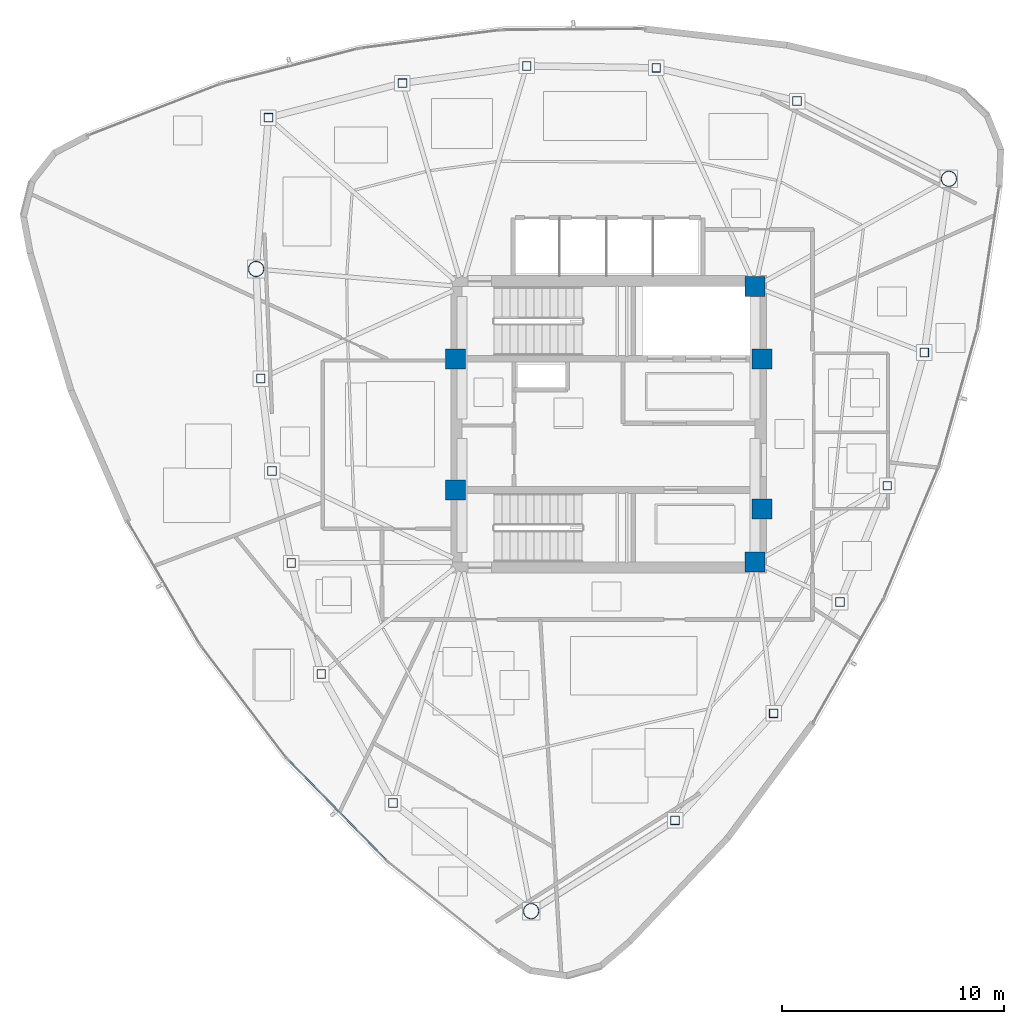
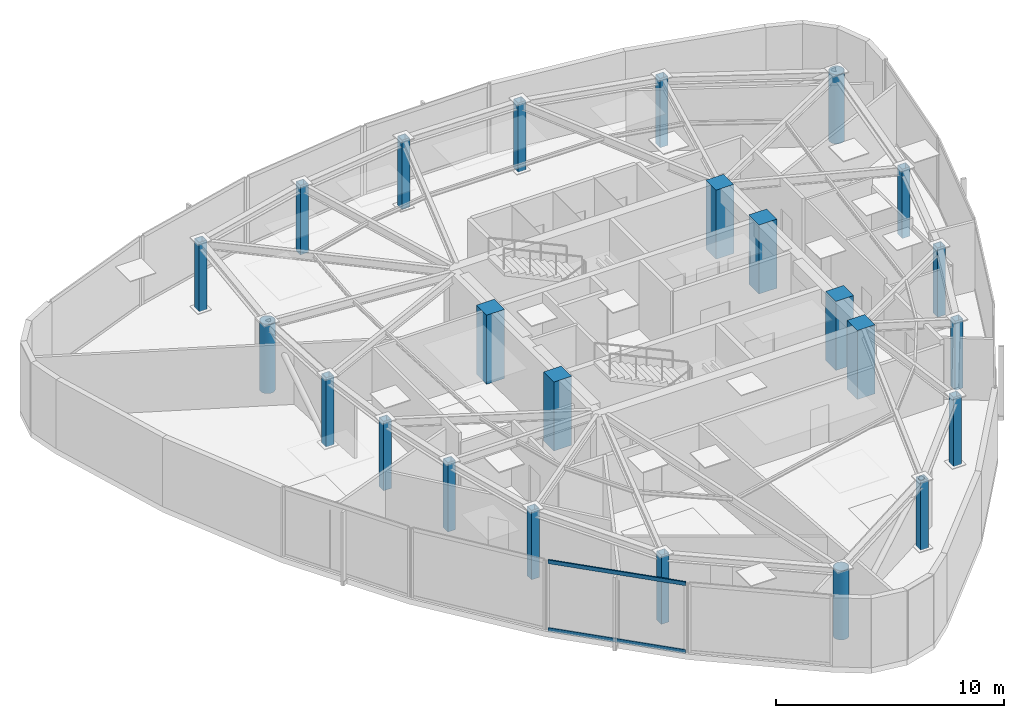
# One storey, part 1 of 11: 24 columns, 2 members, 1 element without a shape of its own.
"""IFC4 building model written with IfcOpenShell, lengths in metres."""

import ifcopenshell
import ifcopenshell.guid

model = None  # the IFC model being written
_history = None  # IfcOwnerHistory: only IFC2X3 demands one
_inside = {}  # id of a spatial element -> (the spatial element, [elements in it])
_under = {}  # id of a project, library or spatial element -> (it, [spatial elements below it])
_declared = {}  # id of a project -> (the project, [libraries it declares])
_typed = {}  # id of a type object -> (the type object, [elements of that type])
_made_of = {}  # id of a material, layer set ... -> (it, [elements and type objects made of it])


def new_model(schema):
    """Start an empty IFC model of exactly this schema.

    Asked for "IFC4X3", IfcOpenShell would pick the latest addendum, in which some entities
    have other attributes; the version numbers below select the first issue.
    IFC2X3 requires an IfcOwnerHistory on every rooted entity: one is made here for all.
    """
    global model, _history
    if schema == "IFC4X3":
        model = ifcopenshell.file(schema_version=(4, 3, 0, 0))
    else:
        model = ifcopenshell.file(schema=schema)
    _inside.clear()
    _under.clear()
    _declared.clear()
    _typed.clear()
    _made_of.clear()
    _history = None
    if model.schema == "IFC2X3":
        org = make("IfcOrganization", Name="unknown")
        user = make(
            "IfcPersonAndOrganization",
            ThePerson=make("IfcPerson", FamilyName="unknown"),
            TheOrganization=org,
        )
        app = make(
            "IfcApplication",
            ApplicationDeveloper=org,
            Version="unknown",
            ApplicationFullName="unknown",
            ApplicationIdentifier="unknown",
        )
        _history = make(
            "IfcOwnerHistory",
            OwningUser=user,
            OwningApplication=app,
            ChangeAction="ADDED",
            CreationDate=0,
        )
    return model


def make(cls, **values):
    """One entity of the class cls with the attributes given. An attribute that is None is left unset."""
    return model.create_entity(
        cls, **{name: value for name, value in values.items() if value is not None}
    )


def rooted(cls, **values):
    """An entity with a GlobalId (a new one), such as an element, a storey or a relation."""
    return make(cls, GlobalId=ifcopenshell.guid.new(), OwnerHistory=_history, **values)


def si_unit(unit_type, name, prefix=None):
    """IfcSIUnit, for example si_unit("LENGTHUNIT", "METRE", prefix="MILLI")."""
    return make("IfcSIUnit", UnitType=unit_type, Prefix=prefix, Name=name)


def assignment(units):
    """IfcUnitAssignment: the units of a project."""
    return None if units is None else make("IfcUnitAssignment", Units=units)


def point(xyz):
    """IfcCartesianPoint."""
    return None if xyz is None else make("IfcCartesianPoint", Coordinates=xyz)


def direction(xyz):
    """IfcDirection."""
    return None if xyz is None else make("IfcDirection", DirectionRatios=xyz)


def frame(location, z_axis=None, x_axis=None):
    """IfcAxis2Placement3D, a coordinate frame: its origin and axes. An axis left out is left unset."""
    return make(
        "IfcAxis2Placement3D",
        Location=point(location),
        Axis=direction(z_axis),
        RefDirection=direction(x_axis),
    )


def frame_2d(location, x_axis=None):
    """IfcAxis2Placement2D, a coordinate frame in the plane: its origin and x axis."""
    return make(
        "IfcAxis2Placement2D", Location=point(location), RefDirection=direction(x_axis)
    )


def origin():
    """The frame at (0, 0, 0) with its axes left unset."""
    return frame((0.0, 0.0, 0.0))


def origin_2d():
    """The frame at (0, 0) in the plane with its x axis left unset."""
    return frame_2d((0.0, 0.0))


def place(relative_to, where):
    """IfcLocalPlacement: puts the frame where relative to a parent placement (None: the world)."""
    return make(
        "IfcLocalPlacement", PlacementRelTo=relative_to, RelativePlacement=where
    )


def context(
    kind, dimensions, precision=None, world=None, true_north=None, identifier=None
):
    """IfcGeometricRepresentationContext, for example the 3D "Model" context."""
    return make(
        "IfcGeometricRepresentationContext",
        ContextIdentifier=identifier,
        ContextType=kind,
        CoordinateSpaceDimension=dimensions,
        Precision=precision,
        WorldCoordinateSystem=world,
        TrueNorth=true_north,
    )


def subcontext(parent, identifier, kind, view, scale=None):
    """IfcGeometricRepresentationSubContext, for example "Body" below "Model"."""
    return make(
        "IfcGeometricRepresentationSubContext",
        ContextIdentifier=identifier,
        ContextType=kind,
        ParentContext=parent,
        TargetScale=scale,
        TargetView=view,
    )


def project(units=None, contexts=None):
    """IfcProject with its units and contexts."""
    return rooted(
        "IfcProject",
        Name="project",
        RepresentationContexts=contexts,
        UnitsInContext=assignment(units),
    )


def spatial(cls, under=None, at=None, **own):
    """A site, building, storey or space (cls), placed at a placement, below another one or the project."""
    s = rooted(cls, ObjectPlacement=at, **own)
    if under is not None:
        _under.setdefault(under.id(), (under, []))[1].append(s)
    return s


def profile(cls, at=None, kind="AREA", **sizes):
    """A parametric profile (cls). Its sizes go by their IFC names, for example OverallWidth=200.0."""
    return make(cls, ProfileType=kind, Position=at, **sizes)


def rectangle(**sizes):
    """IfcRectangleProfileDef."""
    return profile("IfcRectangleProfileDef", **sizes)


def hollow_rectangle(**sizes):
    """IfcRectangleHollowProfileDef."""
    return profile("IfcRectangleHollowProfileDef", **sizes)


def hollow_circle(**sizes):
    """IfcCircleHollowProfileDef."""
    return profile("IfcCircleHollowProfileDef", **sizes)


def extrude(swept, where, along, depth):
    """IfcExtrudedAreaSolid: the profile swept, set in the frame where, extruded along a direction by depth."""
    return make(
        "IfcExtrudedAreaSolid",
        SweptArea=swept,
        Position=where,
        ExtrudedDirection=direction(along),
        Depth=depth,
    )


def shape(context_of_items, identifier, shape_type, items):
    """IfcShapeRepresentation: the items that make up one representation, for example the "Body"."""
    return make(
        "IfcShapeRepresentation",
        ContextOfItems=context_of_items,
        RepresentationIdentifier=identifier,
        RepresentationType=shape_type,
        Items=items,
    )


def source(mapping_origin, context_of_items, identifier, shape_type, items):
    """IfcRepresentationMap: a shape defined once, which mapped items show again and again."""
    return make(
        "IfcRepresentationMap",
        MappingOrigin=mapping_origin,
        MappedRepresentation=shape(context_of_items, identifier, shape_type, items),
    )


def transform(
    local_origin,
    x_axis=None,
    y_axis=None,
    z_axis=None,
    scale=None,
    scale2=None,
    scale3=None,
    uniform=True,
):
    """IfcCartesianTransformationOperator3D, or its non-uniform kind. x_axis, y_axis, z_axis: its Axis1, 2, 3."""
    if uniform:
        return make(
            "IfcCartesianTransformationOperator3D",
            Axis1=direction(x_axis),
            Axis2=direction(y_axis),
            LocalOrigin=point(local_origin),
            Scale=scale,
            Axis3=direction(z_axis),
        )
    return make(
        "IfcCartesianTransformationOperator3DnonUniform",
        Axis1=direction(x_axis),
        Axis2=direction(y_axis),
        LocalOrigin=point(local_origin),
        Scale=scale,
        Axis3=direction(z_axis),
        Scale2=scale2,
        Scale3=scale3,
    )


def mapped(mapping_source, mapping_target):
    """IfcMappedItem: shows the shape of a source again, moved by a transform."""
    return make(
        "IfcMappedItem", MappingSource=mapping_source, MappingTarget=mapping_target
    )


def material(Name=None, Category=None):
    """IfcMaterial."""
    return make("IfcMaterial", Name=Name, Category=Category)


def layer(
    of_material, thickness, ventilated=None, Name=None, Category=None, Priority=None
):
    """IfcMaterialLayer: one layer of a wall or slab, of a material (None: an air gap)."""
    return make(
        "IfcMaterialLayer",
        Material=of_material,
        LayerThickness=thickness,
        IsVentilated=ventilated,
        Name=Name,
        Category=Category,
        Priority=Priority,
    )


def layer_set(layers, Name=None):
    """IfcMaterialLayerSet."""
    return make("IfcMaterialLayerSet", MaterialLayers=layers, LayerSetName=Name)


def material_profile(
    of_material, cross_section, Name=None, Category=None, Priority=None
):
    """IfcMaterialProfile: a cross section and its material."""
    return make(
        "IfcMaterialProfile",
        Name=Name,
        Material=of_material,
        Profile=cross_section,
        Priority=Priority,
        Category=Category,
    )


def profile_set(profiles, Name=None, composite=None):
    """IfcMaterialProfileSet."""
    return make(
        "IfcMaterialProfileSet",
        Name=Name,
        MaterialProfiles=profiles,
        CompositeProfile=composite,
    )


def made_of(thing, what):
    """Note that an element or type object is made of a material, layer set ...; save() writes the relation."""
    if what is not None:
        _made_of.setdefault(what.id(), (what, []))[1].append(thing)
    return thing


def type_object(cls, material=None, **own):
    """A type object (cls), such as IfcWallType, which elements share."""
    return made_of(rooted(cls, **own), material)


def type_shapes(of_type, sources):
    """Give a type object the sources (RepresentationMaps) that its elements show as mapped items."""
    of_type.RepresentationMaps = sources


def element(
    cls,
    number,
    at=None,
    inside=None,
    cuts=None,
    type_object=None,
    material=None,
    context=None,
    identifier="Body",
    shape_type=None,
    held_by="IfcProductDefinitionShape",
    body=None,
    shapes=None,
    **own,
):
    """One element of the class cls, such as IfcWall. Its Tag is "e" and its number.

    at: its placement. inside: the storey or other place that contains it. cuts: it is an
    opening in that element (IfcRelVoidsElement). A single representation is given by context,
    identifier, shape_type and body (its items); several are given by shapes. held_by: the class
    of the entity that holds the representations. save() writes the other relations.
    """
    e = rooted(cls, Tag="e%d" % number, ObjectPlacement=at, **own)
    if body is not None:
        shapes = [shape(context, identifier, shape_type, body)]
    if shapes is not None:
        e.Representation = make(held_by, Representations=shapes)
    if inside is not None:
        _inside.setdefault(inside.id(), (inside, []))[1].append(e)
    if cuts is not None:
        rooted(
            "IfcRelVoidsElement", RelatingBuildingElement=cuts, RelatedOpeningElement=e
        )
    if type_object is not None:
        _typed.setdefault(type_object.id(), (type_object, []))[1].append(e)
    return made_of(e, material)


def aggregate(whole, parts):
    """IfcRelAggregates: a whole, such as a stair, and the parts it consists of."""
    return rooted("IfcRelAggregates", RelatingObject=whole, RelatedObjects=parts)


def save(model, path):
    """Write the relations noted so far, then the file.

    IfcRelAggregates (storeys below a building ...), IfcRelContainedInSpatialStructure (elements
    in a storey), IfcRelDefinesByType, IfcRelAssociatesMaterial and IfcRelDeclares: one each for
    every whole, place, type object, material and project.
    """
    for whole, parts in _under.values():
        aggregate(whole, parts)
    for where, things in _inside.values():
        rooted(
            "IfcRelContainedInSpatialStructure",
            RelatedElements=things,
            RelatingStructure=where,
        )
    for kind, things in _typed.values():
        rooted("IfcRelDefinesByType", RelatedObjects=things, RelatingType=kind)
    for what, things in _made_of.values():
        rooted("IfcRelAssociatesMaterial", RelatedObjects=things, RelatingMaterial=what)
    for by, libraries in _declared.values():
        rooted("IfcRelDeclares", RelatingContext=by, RelatedDefinitions=libraries)
    model.write(path)


model = new_model("IFC4")

# Units and contexts
model_context = context("Model", 3, precision=1e-05, world=origin(), true_north=direction((0.0, 1.0)))
body_context = subcontext(model_context, "Body", "Model", "MODEL_VIEW")
ifc_project = project(units=[si_unit("LENGTHUNIT", "METRE"), si_unit("AREAUNIT", "SQUARE_METRE"), si_unit("VOLUMEUNIT", "CUBIC_METRE"), si_unit("PLANEANGLEUNIT", "RADIAN"), si_unit("MASSUNIT", "GRAM", prefix="KILO")], contexts=[model_context])

# Site, building, storey
site_placement = place(None, origin())
site = spatial("IfcSite", under=ifc_project, at=site_placement, CompositionType="ELEMENT")
building_placement = place(site_placement, origin())
building = spatial("IfcBuilding", under=site, at=building_placement, Name="Tavelor Broadcast Tower", CompositionType="ELEMENT")
storey_placement = place(building_placement, frame((0.0, 0.0, 313.5)))
storey = spatial("IfcBuildingStorey", under=building, at=storey_placement, Name="L75", CompositionType="ELEMENT", Elevation=313.5)

# Columns
ifc_material_1 = material(Name="Concrete C50/60", Category="concrete")
ifc_material_profile_1 = material_profile(ifc_material_1, rectangle(XDim=0.89990234375, YDim=0.89990234375, at=origin_2d()), Name="RC 900x900")
ifc_profile_set_1 = profile_set([ifc_material_profile_1], Name="Concrete C50/60")
column_type_1 = type_object("IfcColumnType", Name="Core Embedded Composite Column RC900", PredefinedType="COLUMN", material=ifc_profile_set_1)
for number, where, z_axis, x_axis, name in (
    (1, (43.10009765625, 47.949951171875, 0.0), (0.0, 0.0, 1.0), (1.0, 0.0, 0.0), "L75 Core Embedded Column 1"),
    (2, (56.89990234375, 47.949951171875, 0.0), (0.0, 0.0, 1.0), (1.0, 0.0, 0.0), "L75 Core Embedded Column 2"),
    (3, (56.60009765625, 51.199951171875, 0.0), (0.0, 0.0, 1.0), (1.0, 0.0, 0.0), "L75 Core Embedded Column 3"),
    (4, (43.10009765625, 42.050048828125, 0.0), (0.0, 0.0, 1.0), (1.0, 0.0, 0.0), "L75 Core Embedded Column 4"),
    (5, (56.89990234375, 41.199951171875, 0.0), (0.0, 0.0, 1.0), (1.0, 0.0, 0.0), "L75 Core Embedded Column 5"),
    (6, (56.60009765625, 38.800048828125, 0.0), (0.0, 0.0, 1.0), (1.0, 0.0, 0.0), "L75 Core Embedded Column 6"),
):
    element("IfcColumn", number, at=place(storey_placement, frame(where, z_axis=z_axis, x_axis=x_axis)), inside=storey, type_object=column_type_1, Name=name, PredefinedType="COLUMN", context=body_context, shape_type="SweptSolid", body=[
        extrude(rectangle(XDim=0.89990234375, YDim=0.89990234375, at=origin_2d()), origin(), (0.0, 0.0, 1.0), 3.699951171875),
    ])
ifc_material_2 = material(Name="Steel S460", Category="steel")
ifc_material_profile_2 = material_profile(ifc_material_2, hollow_rectangle(XDim=0.39990234375, YDim=0.39990234375, WallThickness=0.02490234375, at=origin_2d()), Name="SHS 400x400x25")
ifc_profile_set_2 = profile_set([ifc_material_profile_2], Name="Steel S460")
column_type_2 = type_object("IfcColumnType", Name="Perimeter Tube Column T8 SHS 400x400x25", PredefinedType="COLUMN", material=ifc_profile_set_2)
for number, where, z_axis, x_axis, name in (
    (7, (34.341552734375, 47.061279296875, 0.0), (0.0, 0.0, 1.0), (1.0, 0.0, 0.0), "L75 Perimeter Framed-Tube Column 02"),
    (8, (34.85400390625, 42.90185546875, 0.0), (0.0, 0.0, 1.0), (1.0, 0.0, 0.0), "L75 Perimeter Framed-Tube Column 03"),
    (9, (35.716552734375, 38.757080078125, 0.0), (0.0, 0.0, 1.0), (1.0, 0.0, 0.0), "L75 Perimeter Framed-Tube Column 04"),
    (10, (37.068115234375, 33.759521484375, 0.0), (0.0, 0.0, 1.0), (1.0, 0.0, 0.0), "L75 Perimeter Framed-Tube Column 05"),
    (11, (40.29638671875, 27.95361328125, 0.0), (0.0, 0.0, 1.0), (1.0, 0.0, 0.0), "L75 Perimeter Framed-Tube Column 06"),
    (12, (52.992919921875, 27.1767578125, 0.0), (0.0, 0.0, 1.0), (1.0, 0.0, 0.0), "L75 Perimeter Framed-Tube Column 08"),
    (13, (57.431396484375, 31.9921875, 0.0), (0.0, 0.0, 1.0), (1.0, 0.0, 0.0), "L75 Perimeter Framed-Tube Column 09"),
    (14, (60.41748046875, 37.00439453125, 0.0), (0.0, 0.0, 1.0), (1.0, 0.0, 0.0), "L75 Perimeter Framed-Tube Column 10"),
    (15, (62.543701171875, 42.240478515625, 0.0), (0.0, 0.0, 1.0), (1.0, 0.0, 0.0), "L75 Perimeter Framed-Tube Column 11"),
    (16, (64.21435546875, 48.2373046875, 0.0), (0.0, 0.0, 1.0), (1.0, 0.0, 0.0), "L75 Perimeter Framed-Tube Column 12"),
    (17, (58.485595703125, 59.55712890625, 0.0), (0.0, 0.0, 1.0), (1.0, 0.0, 0.0), "L75 Perimeter Framed-Tube Column 14"),
    (18, (52.147216796875, 61.05078125, 0.0), (0.0, 0.0, 1.0), (1.0, 0.0, 0.0), "L75 Perimeter Framed-Tube Column 15"),
    (19, (46.3154296875, 61.13720703125, 0.0), (0.0, 0.0, 1.0), (1.0, 0.0, 0.0), "L75 Perimeter Framed-Tube Column 16"),
    (20, (40.718017578125, 60.36083984375, 0.0), (0.0, 0.0, 1.0), (1.0, 0.0, 0.0), "L75 Perimeter Framed-Tube Column 17"),
    (21, (34.689208984375, 58.80908203125, 0.0), (0.0, 0.0, 1.0), (1.0, 0.0, 0.0), "L75 Perimeter Framed-Tube Column 18"),
):
    element("IfcColumn", number, at=place(storey_placement, frame(where, z_axis=z_axis, x_axis=x_axis)), inside=storey, type_object=column_type_2, Name=name, PredefinedType="COLUMN", context=body_context, shape_type="SweptSolid", body=[
        extrude(hollow_rectangle(XDim=0.39990234375, YDim=0.39990234375, WallThickness=0.02490234375, at=origin_2d()), origin(), (0.0, 0.0, 1.0), 3.699951171875),
    ])
ifc_material_profile_3 = material_profile(ifc_material_2, hollow_circle(Radius=0.35546875, WallThickness=0.031982421875, at=origin_2d()), Name="CHS 711x32")
ifc_profile_set_3 = profile_set([ifc_material_profile_3], Name="Steel S460")
column_type_3 = type_object("IfcColumnType", Name="Tower Mega Column T8 CHS 711x32", PredefinedType="COLUMN", material=ifc_profile_set_3)
for number, where, z_axis, x_axis, name in (
    (22, (34.134765625, 51.995849609375, 0.0), (0.0, 0.0, 1.0), (1.0, 0.0, 0.0), "L75 Tower Corner Mega Column 01"),
    (23, (46.5146484375, 23.08740234375, 0.0), (0.0, 0.0, 1.0), (1.0, 0.0, 0.0), "L75 Tower Corner Mega Column 07"),
    (24, (65.319580078125, 56.0556640625, 0.0), (0.0, 0.0, 1.0), (1.0, 0.0, 0.0), "L75 Tower Corner Mega Column 13"),
):
    element("IfcColumn", number, at=place(storey_placement, frame(where, z_axis=z_axis, x_axis=x_axis)), inside=storey, type_object=column_type_3, Name=name, PredefinedType="COLUMN", context=body_context, shape_type="SweptSolid", body=[
        extrude(hollow_circle(Radius=0.35546875, WallThickness=0.031982421875, at=origin_2d()), origin(), (0.0, 0.0, 1.0), 3.699951171875),
    ])

# Curtain wall, members
ifc_material_3 = material(Name="Architectural Anodized Aluminium", Category="aluminium")
ifc_layer = layer(ifc_material_3, 0.199951171875)
ifc_layer_set = layer_set([ifc_layer], Name="Architectural Anodized Aluminium")
curtain_wall_type = type_object("IfcCurtainWallType", Name="Tower High-Zone Triple-Glazed Curtain Wall CW04", PredefinedType="NOTDEFINED", material=ifc_layer_set)
curtain_wall_placement = place(storey_placement, origin())
curtain_wall = element("IfcCurtainWall", 25, at=curtain_wall_placement, inside=storey, type_object=curtain_wall_type, Name="L75 Curtain Wall CW04 Run 831", PredefinedType="NOTDEFINED")
ifc_material_profile_4 = material_profile(ifc_material_3, hollow_rectangle(XDim=0.070068359375, YDim=0.199951171875, WallThickness=0.02197265625, at=origin_2d()), Name="RHS 70x200x22")
ifc_profile_set_4 = profile_set([ifc_material_profile_4], Name="Architectural Anodized Aluminium")
member_type = type_object("IfcMemberType", Name="CW04 Extruded Aluminium Transom 70x200", PredefinedType="USERDEFINED", material=ifc_profile_set_4)
shared_shape = source(origin(), body_context, "Body", "SweptSolid", [
    extrude(hollow_rectangle(XDim=0.070068359375, YDim=0.199951171875, WallThickness=0.02197265625, at=origin_2d()), origin(), (0.0, 0.0, 1.0), 6.2763671875),
])
type_shapes(member_type, [shared_shape])
member_1_placement = place(storey_placement, frame((35.596923828125, 29.8876953125, 0.034912109375), z_axis=(0.698733505513, -0.715382057556, 0.0), x_axis=(0.715382057556, 0.698733505513, 0.0)))
member_1 = element("IfcMember", 26, at=member_1_placement, type_object=member_type, Name="CW04 transom 1.1", ObjectType="TRANSOM", PredefinedType="USERDEFINED", context=body_context, shape_type="MappedRepresentation", body=[
    mapped(shared_shape, transform((0.0, 0.0, 0.0), scale=1.0)),
])
member_2_placement = place(storey_placement, frame((35.596923828125, 29.8876953125, 3.6650390625), z_axis=(0.698733505513, -0.715382057556, 0.0), x_axis=(0.715382057556, 0.698733505513, 0.0)))
member_2 = element("IfcMember", 27, at=member_2_placement, type_object=member_type, Name="CW04 transom 1.2", ObjectType="TRANSOM", PredefinedType="USERDEFINED", context=body_context, shape_type="MappedRepresentation", body=[
    mapped(shared_shape, transform((0.0, 0.0, 0.0), scale=1.0)),
])
aggregate(curtain_wall, [member_1, member_2])

save(model, "model.ifc")
